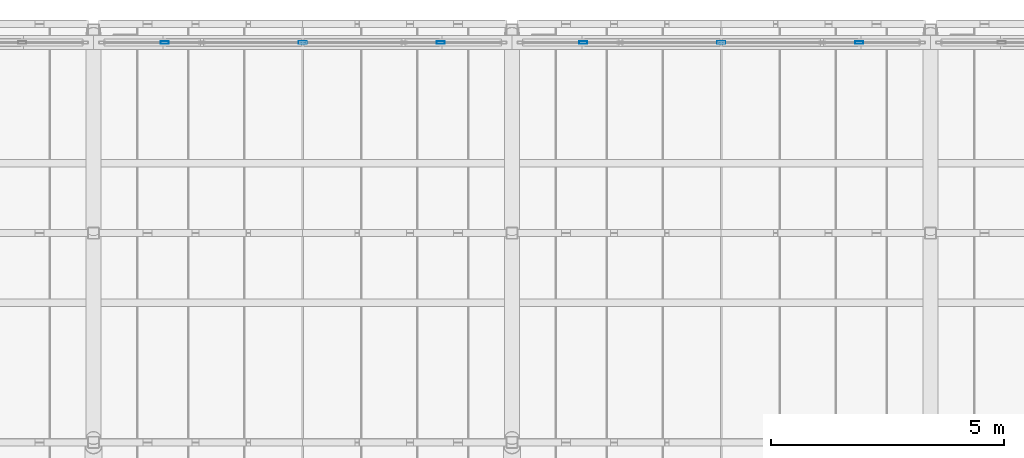
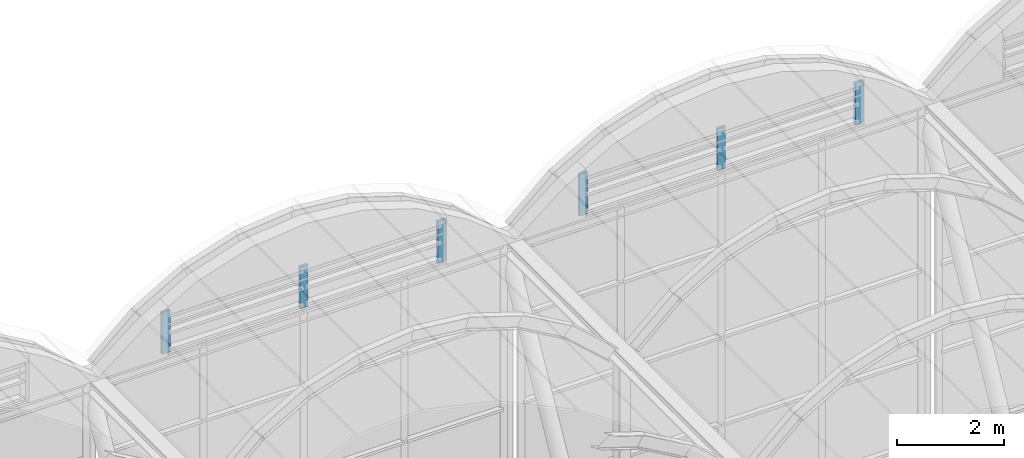
# One storey, part 115 of 144: 6 members, 2 elements without a shape of their own.
"""IFC4 building model written with IfcOpenShell, lengths in metres."""

from ifc_helpers import new_model, si_unit, direction, frame, origin, origin_2d, place, context, subcontext, project, spatial, hollow_rectangle, extrude, material, layer, layer_set, material_profile, profile_set, type_object, element, aggregate, save


model = new_model("IFC4")

# Units and contexts
model_context = context("Model", 3, precision=1e-05, world=origin(), true_north=direction((0.0, 1.0)))
body_context = subcontext(model_context, "Body", "Model", "MODEL_VIEW")
ifc_project = project(units=[si_unit("LENGTHUNIT", "METRE"), si_unit("AREAUNIT", "SQUARE_METRE"), si_unit("VOLUMEUNIT", "CUBIC_METRE"), si_unit("PLANEANGLEUNIT", "RADIAN"), si_unit("MASSUNIT", "GRAM", prefix="KILO")], contexts=[model_context])

# Site, building, storey
site_placement = place(None, origin())
site = spatial("IfcSite", under=ifc_project, at=site_placement, CompositionType="ELEMENT")
building_placement = place(site_placement, origin())
building = spatial("IfcBuilding", under=site, at=building_placement, Name="Shorebreak Coast Museum", CompositionType="ELEMENT")
storey_placement = place(building_placement, frame((0.0, 0.0, 36.0)))
storey = spatial("IfcBuildingStorey", under=building, at=storey_placement, Name="L06", CompositionType="ELEMENT", Elevation=36.0)

# Curtain wall, members
ifc_material_1 = material(Name="Aluminium", Category="aluminium")
ifc_layer = layer(ifc_material_1, 0.175048828125)
ifc_layer_set = layer_set([ifc_layer], Name="Aluminium")
curtain_wall_type = type_object("IfcCurtainWallType", Name="Gable curtain wall", PredefinedType="NOTDEFINED", material=ifc_layer_set)
curtain_wall_1_placement = place(storey_placement, origin())
curtain_wall_1 = element("IfcCurtainWall", 1, at=curtain_wall_1_placement, inside=storey, type_object=curtain_wall_type, Name="Vault arch glazing V5", PredefinedType="NOTDEFINED")
ifc_material_2 = material(Name="Aluminium", Category="aluminium")
ifc_material_profile = material_profile(ifc_material_2, hollow_rectangle(XDim=0.06005859375, YDim=0.175048828125, WallThickness=0.00390625, at=origin_2d()), Name="AL 175x60 RHS")
ifc_profile_set = profile_set([ifc_material_profile], Name="Aluminium")
member_type = type_object("IfcMemberType", Name="Gable mullion 60 x 175", PredefinedType="MULLION", material=ifc_profile_set)
member_1_placement = place(storey_placement, frame((91.530029296875, 134.60009765625, 7.800048828125), z_axis=(0.0, 0.0, 1.0), x_axis=(0.0, 1.0, 0.0)))
member_1 = element("IfcMember", 2, at=member_1_placement, type_object=member_type, Name="CW9 mullion 1", PredefinedType="MULLION", context=body_context, shape_type="SweptSolid", body=[
    extrude(hollow_rectangle(XDim=0.06005859375, YDim=0.175048828125, WallThickness=0.00390625, at=origin_2d()), origin(), (0.0, 0.0, 1.0), 0.949951171875),
])
member_2_placement = place(storey_placement, frame((94.5, 134.60009765625, 7.800048828125), z_axis=(0.0, 0.0, 1.0), x_axis=(0.0, 1.0, 0.0)))
member_2 = element("IfcMember", 3, at=member_2_placement, type_object=member_type, Name="CW9 mullion 2", PredefinedType="MULLION", context=body_context, shape_type="SweptSolid", body=[
    extrude(hollow_rectangle(XDim=0.06005859375, YDim=0.175048828125, WallThickness=0.00390625, at=origin_2d()), origin(), (0.0, 0.0, 1.0), 0.949951171875),
])
member_3_placement = place(storey_placement, frame((97.469970703125, 134.60009765625, 7.800048828125), z_axis=(0.0, 0.0, 1.0), x_axis=(0.0, 1.0, 0.0)))
member_3 = element("IfcMember", 4, at=member_3_placement, type_object=member_type, Name="CW9 mullion 3", PredefinedType="MULLION", context=body_context, shape_type="SweptSolid", body=[
    extrude(hollow_rectangle(XDim=0.06005859375, YDim=0.175048828125, WallThickness=0.00390625, at=origin_2d()), origin(), (0.0, 0.0, 1.0), 0.949951171875),
])
aggregate(curtain_wall_1, [member_1, member_2, member_3])

curtain_wall_2_placement = place(storey_placement, origin())
curtain_wall_2 = element("IfcCurtainWall", 5, at=curtain_wall_2_placement, inside=storey, type_object=curtain_wall_type, Name="Vault arch glazing V6", PredefinedType="NOTDEFINED")
member_4_placement = place(storey_placement, frame((100.530029296875, 134.60009765625, 7.800048828125), z_axis=(0.0, 0.0, 1.0), x_axis=(0.0, 1.0, 0.0)))
member_4 = element("IfcMember", 6, at=member_4_placement, type_object=member_type, Name="CW9 mullion 1", PredefinedType="MULLION", context=body_context, shape_type="SweptSolid", body=[
    extrude(hollow_rectangle(XDim=0.06005859375, YDim=0.175048828125, WallThickness=0.00390625, at=origin_2d()), origin(), (0.0, 0.0, 1.0), 0.949951171875),
])
member_5_placement = place(storey_placement, frame((103.5, 134.60009765625, 7.800048828125), z_axis=(0.0, 0.0, 1.0), x_axis=(0.0, 1.0, 0.0)))
member_5 = element("IfcMember", 7, at=member_5_placement, type_object=member_type, Name="CW9 mullion 2", PredefinedType="MULLION", context=body_context, shape_type="SweptSolid", body=[
    extrude(hollow_rectangle(XDim=0.06005859375, YDim=0.175048828125, WallThickness=0.00390625, at=origin_2d()), origin(), (0.0, 0.0, 1.0), 0.949951171875),
])
member_6_placement = place(storey_placement, frame((106.469970703125, 134.60009765625, 7.800048828125), z_axis=(0.0, 0.0, 1.0), x_axis=(0.0, 1.0, 0.0)))
member_6 = element("IfcMember", 8, at=member_6_placement, type_object=member_type, Name="CW9 mullion 3", PredefinedType="MULLION", context=body_context, shape_type="SweptSolid", body=[
    extrude(hollow_rectangle(XDim=0.06005859375, YDim=0.175048828125, WallThickness=0.00390625, at=origin_2d()), origin(), (0.0, 0.0, 1.0), 0.949951171875),
])
aggregate(curtain_wall_2, [member_4, member_5, member_6])

save(model, "model.ifc")
